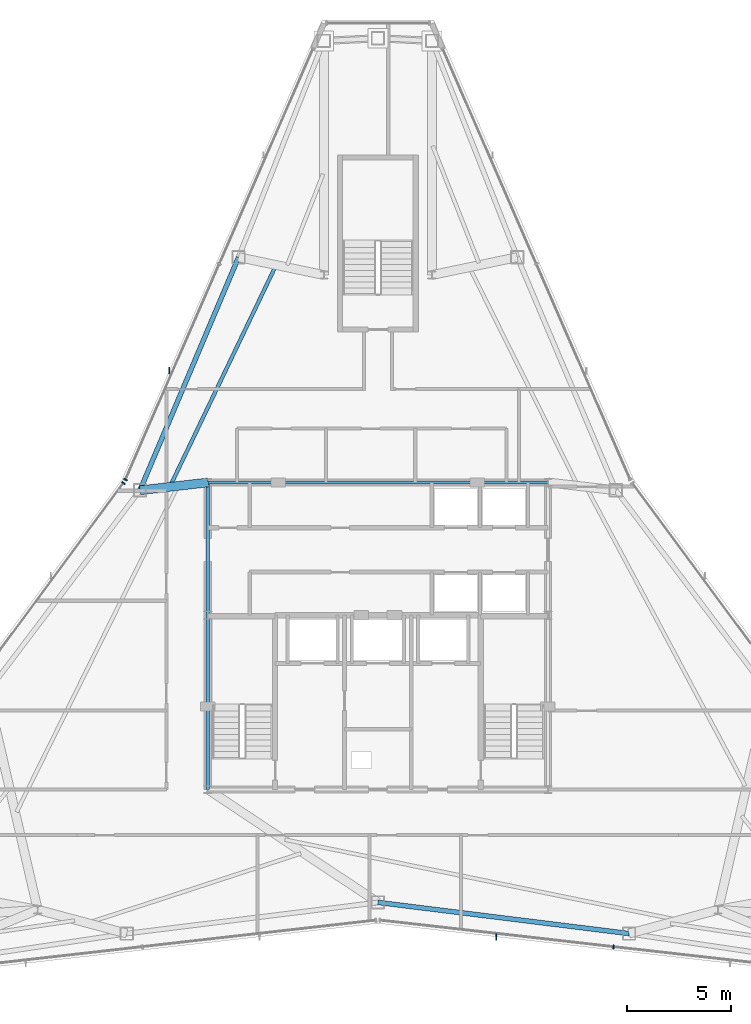
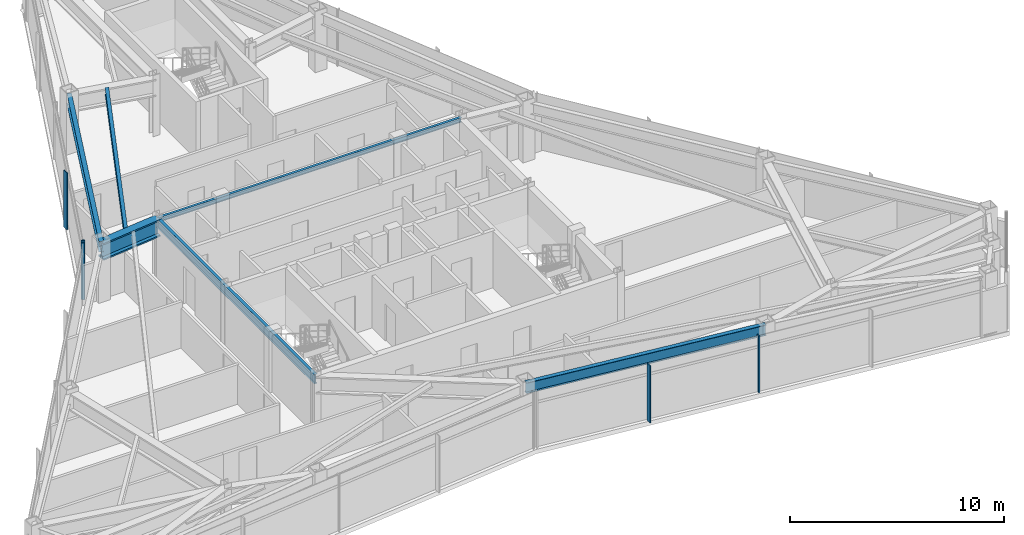
# One storey, part 5 of 12: 6 beams, 5 members, 3 elements without a shape of their own.
"""IFC4 building model written with IfcOpenShell, lengths in metres."""

import ifcopenshell
import ifcopenshell.guid

model = None  # the IFC model being written
_history = None  # IfcOwnerHistory: only IFC2X3 demands one
_inside = {}  # id of a spatial element -> (the spatial element, [elements in it])
_under = {}  # id of a project, library or spatial element -> (it, [spatial elements below it])
_declared = {}  # id of a project -> (the project, [libraries it declares])
_typed = {}  # id of a type object -> (the type object, [elements of that type])
_made_of = {}  # id of a material, layer set ... -> (it, [elements and type objects made of it])


def new_model(schema):
    """Start an empty IFC model of exactly this schema.

    Asked for "IFC4X3", IfcOpenShell would pick the latest addendum, in which some entities
    have other attributes; the version numbers below select the first issue.
    IFC2X3 requires an IfcOwnerHistory on every rooted entity: one is made here for all.
    """
    global model, _history
    if schema == "IFC4X3":
        model = ifcopenshell.file(schema_version=(4, 3, 0, 0))
    else:
        model = ifcopenshell.file(schema=schema)
    _inside.clear()
    _under.clear()
    _declared.clear()
    _typed.clear()
    _made_of.clear()
    _history = None
    if model.schema == "IFC2X3":
        org = make("IfcOrganization", Name="unknown")
        user = make(
            "IfcPersonAndOrganization",
            ThePerson=make("IfcPerson", FamilyName="unknown"),
            TheOrganization=org,
        )
        app = make(
            "IfcApplication",
            ApplicationDeveloper=org,
            Version="unknown",
            ApplicationFullName="unknown",
            ApplicationIdentifier="unknown",
        )
        _history = make(
            "IfcOwnerHistory",
            OwningUser=user,
            OwningApplication=app,
            ChangeAction="ADDED",
            CreationDate=0,
        )
    return model


def make(cls, **values):
    """One entity of the class cls with the attributes given. An attribute that is None is left unset."""
    return model.create_entity(
        cls, **{name: value for name, value in values.items() if value is not None}
    )


def rooted(cls, **values):
    """An entity with a GlobalId (a new one), such as an element, a storey or a relation."""
    return make(cls, GlobalId=ifcopenshell.guid.new(), OwnerHistory=_history, **values)


def si_unit(unit_type, name, prefix=None):
    """IfcSIUnit, for example si_unit("LENGTHUNIT", "METRE", prefix="MILLI")."""
    return make("IfcSIUnit", UnitType=unit_type, Prefix=prefix, Name=name)


def assignment(units):
    """IfcUnitAssignment: the units of a project."""
    return None if units is None else make("IfcUnitAssignment", Units=units)


def point(xyz):
    """IfcCartesianPoint."""
    return None if xyz is None else make("IfcCartesianPoint", Coordinates=xyz)


def direction(xyz):
    """IfcDirection."""
    return None if xyz is None else make("IfcDirection", DirectionRatios=xyz)


def frame(location, z_axis=None, x_axis=None):
    """IfcAxis2Placement3D, a coordinate frame: its origin and axes. An axis left out is left unset."""
    return make(
        "IfcAxis2Placement3D",
        Location=point(location),
        Axis=direction(z_axis),
        RefDirection=direction(x_axis),
    )


def frame_2d(location, x_axis=None):
    """IfcAxis2Placement2D, a coordinate frame in the plane: its origin and x axis."""
    return make(
        "IfcAxis2Placement2D", Location=point(location), RefDirection=direction(x_axis)
    )


def origin():
    """The frame at (0, 0, 0) with its axes left unset."""
    return frame((0.0, 0.0, 0.0))


def origin_2d():
    """The frame at (0, 0) in the plane with its x axis left unset."""
    return frame_2d((0.0, 0.0))


def place(relative_to, where):
    """IfcLocalPlacement: puts the frame where relative to a parent placement (None: the world)."""
    return make(
        "IfcLocalPlacement", PlacementRelTo=relative_to, RelativePlacement=where
    )


def context(
    kind, dimensions, precision=None, world=None, true_north=None, identifier=None
):
    """IfcGeometricRepresentationContext, for example the 3D "Model" context."""
    return make(
        "IfcGeometricRepresentationContext",
        ContextIdentifier=identifier,
        ContextType=kind,
        CoordinateSpaceDimension=dimensions,
        Precision=precision,
        WorldCoordinateSystem=world,
        TrueNorth=true_north,
    )


def subcontext(parent, identifier, kind, view, scale=None):
    """IfcGeometricRepresentationSubContext, for example "Body" below "Model"."""
    return make(
        "IfcGeometricRepresentationSubContext",
        ContextIdentifier=identifier,
        ContextType=kind,
        ParentContext=parent,
        TargetScale=scale,
        TargetView=view,
    )


def project(units=None, contexts=None):
    """IfcProject with its units and contexts."""
    return rooted(
        "IfcProject",
        Name="project",
        RepresentationContexts=contexts,
        UnitsInContext=assignment(units),
    )


def spatial(cls, under=None, at=None, **own):
    """A site, building, storey or space (cls), placed at a placement, below another one or the project."""
    s = rooted(cls, ObjectPlacement=at, **own)
    if under is not None:
        _under.setdefault(under.id(), (under, []))[1].append(s)
    return s


def profile(cls, at=None, kind="AREA", **sizes):
    """A parametric profile (cls). Its sizes go by their IFC names, for example OverallWidth=200.0."""
    return make(cls, ProfileType=kind, Position=at, **sizes)


def rectangle(**sizes):
    """IfcRectangleProfileDef."""
    return profile("IfcRectangleProfileDef", **sizes)


def i_section(**sizes):
    """IfcIShapeProfileDef."""
    return profile("IfcIShapeProfileDef", **sizes)


def extrude(swept, where, along, depth):
    """IfcExtrudedAreaSolid: the profile swept, set in the frame where, extruded along a direction by depth."""
    return make(
        "IfcExtrudedAreaSolid",
        SweptArea=swept,
        Position=where,
        ExtrudedDirection=direction(along),
        Depth=depth,
    )


def shape(context_of_items, identifier, shape_type, items):
    """IfcShapeRepresentation: the items that make up one representation, for example the "Body"."""
    return make(
        "IfcShapeRepresentation",
        ContextOfItems=context_of_items,
        RepresentationIdentifier=identifier,
        RepresentationType=shape_type,
        Items=items,
    )


def source(mapping_origin, context_of_items, identifier, shape_type, items):
    """IfcRepresentationMap: a shape defined once, which mapped items show again and again."""
    return make(
        "IfcRepresentationMap",
        MappingOrigin=mapping_origin,
        MappedRepresentation=shape(context_of_items, identifier, shape_type, items),
    )


def transform(
    local_origin,
    x_axis=None,
    y_axis=None,
    z_axis=None,
    scale=None,
    scale2=None,
    scale3=None,
    uniform=True,
):
    """IfcCartesianTransformationOperator3D, or its non-uniform kind. x_axis, y_axis, z_axis: its Axis1, 2, 3."""
    if uniform:
        return make(
            "IfcCartesianTransformationOperator3D",
            Axis1=direction(x_axis),
            Axis2=direction(y_axis),
            LocalOrigin=point(local_origin),
            Scale=scale,
            Axis3=direction(z_axis),
        )
    return make(
        "IfcCartesianTransformationOperator3DnonUniform",
        Axis1=direction(x_axis),
        Axis2=direction(y_axis),
        LocalOrigin=point(local_origin),
        Scale=scale,
        Axis3=direction(z_axis),
        Scale2=scale2,
        Scale3=scale3,
    )


def mapped(mapping_source, mapping_target):
    """IfcMappedItem: shows the shape of a source again, moved by a transform."""
    return make(
        "IfcMappedItem", MappingSource=mapping_source, MappingTarget=mapping_target
    )


def material(Name=None, Category=None):
    """IfcMaterial."""
    return make("IfcMaterial", Name=Name, Category=Category)


def layer(
    of_material, thickness, ventilated=None, Name=None, Category=None, Priority=None
):
    """IfcMaterialLayer: one layer of a wall or slab, of a material (None: an air gap)."""
    return make(
        "IfcMaterialLayer",
        Material=of_material,
        LayerThickness=thickness,
        IsVentilated=ventilated,
        Name=Name,
        Category=Category,
        Priority=Priority,
    )


def layer_set(layers, Name=None):
    """IfcMaterialLayerSet."""
    return make("IfcMaterialLayerSet", MaterialLayers=layers, LayerSetName=Name)


def material_profile(
    of_material, cross_section, Name=None, Category=None, Priority=None
):
    """IfcMaterialProfile: a cross section and its material."""
    return make(
        "IfcMaterialProfile",
        Name=Name,
        Material=of_material,
        Profile=cross_section,
        Priority=Priority,
        Category=Category,
    )


def profile_set(profiles, Name=None, composite=None):
    """IfcMaterialProfileSet."""
    return make(
        "IfcMaterialProfileSet",
        Name=Name,
        MaterialProfiles=profiles,
        CompositeProfile=composite,
    )


def made_of(thing, what):
    """Note that an element or type object is made of a material, layer set ...; save() writes the relation."""
    if what is not None:
        _made_of.setdefault(what.id(), (what, []))[1].append(thing)
    return thing


def type_object(cls, material=None, **own):
    """A type object (cls), such as IfcWallType, which elements share."""
    return made_of(rooted(cls, **own), material)


def type_shapes(of_type, sources):
    """Give a type object the sources (RepresentationMaps) that its elements show as mapped items."""
    of_type.RepresentationMaps = sources


def element(
    cls,
    number,
    at=None,
    inside=None,
    cuts=None,
    type_object=None,
    material=None,
    context=None,
    identifier="Body",
    shape_type=None,
    held_by="IfcProductDefinitionShape",
    body=None,
    shapes=None,
    **own,
):
    """One element of the class cls, such as IfcWall. Its Tag is "e" and its number.

    at: its placement. inside: the storey or other place that contains it. cuts: it is an
    opening in that element (IfcRelVoidsElement). A single representation is given by context,
    identifier, shape_type and body (its items); several are given by shapes. held_by: the class
    of the entity that holds the representations. save() writes the other relations.
    """
    e = rooted(cls, Tag="e%d" % number, ObjectPlacement=at, **own)
    if body is not None:
        shapes = [shape(context, identifier, shape_type, body)]
    if shapes is not None:
        e.Representation = make(held_by, Representations=shapes)
    if inside is not None:
        _inside.setdefault(inside.id(), (inside, []))[1].append(e)
    if cuts is not None:
        rooted(
            "IfcRelVoidsElement", RelatingBuildingElement=cuts, RelatedOpeningElement=e
        )
    if type_object is not None:
        _typed.setdefault(type_object.id(), (type_object, []))[1].append(e)
    return made_of(e, material)


def aggregate(whole, parts):
    """IfcRelAggregates: a whole, such as a stair, and the parts it consists of."""
    return rooted("IfcRelAggregates", RelatingObject=whole, RelatedObjects=parts)


def save(model, path):
    """Write the relations noted so far, then the file.

    IfcRelAggregates (storeys below a building ...), IfcRelContainedInSpatialStructure (elements
    in a storey), IfcRelDefinesByType, IfcRelAssociatesMaterial and IfcRelDeclares: one each for
    every whole, place, type object, material and project.
    """
    for whole, parts in _under.values():
        aggregate(whole, parts)
    for where, things in _inside.values():
        rooted(
            "IfcRelContainedInSpatialStructure",
            RelatedElements=things,
            RelatingStructure=where,
        )
    for kind, things in _typed.values():
        rooted("IfcRelDefinesByType", RelatedObjects=things, RelatingType=kind)
    for what, things in _made_of.values():
        rooted("IfcRelAssociatesMaterial", RelatedObjects=things, RelatingMaterial=what)
    for by, libraries in _declared.values():
        rooted("IfcRelDeclares", RelatingContext=by, RelatedDefinitions=libraries)
    model.write(path)


model = new_model("IFC4")

# Units and contexts
model_context = context("Model", 3, precision=1e-05, world=origin(), true_north=direction((0.0, 1.0)))
body_context = subcontext(model_context, "Body", "Model", "MODEL_VIEW")
ifc_project = project(units=[si_unit("LENGTHUNIT", "METRE"), si_unit("AREAUNIT", "SQUARE_METRE"), si_unit("VOLUMEUNIT", "CUBIC_METRE"), si_unit("PLANEANGLEUNIT", "RADIAN"), si_unit("MASSUNIT", "GRAM", prefix="KILO")], contexts=[model_context])

# Site, building, storey
site_placement = place(None, origin())
site = spatial("IfcSite", under=ifc_project, at=site_placement, CompositionType="ELEMENT")
building_placement = place(site_placement, origin())
building = spatial("IfcBuilding", under=site, at=building_placement, Name="Varakhsha Concourse Tower", CompositionType="ELEMENT")
storey_placement = place(building_placement, frame((0.0, 0.0, 283.0)))
storey = spatial("IfcBuildingStorey", under=building, at=storey_placement, Name="L80", CompositionType="ELEMENT", Elevation=283.0)

# Beams
ifc_material_1 = material(Name="Structural Steel ASTM A992 Grade 50", Category="steel")
ifc_material_profile_1 = material_profile(ifc_material_1, i_section(OverallWidth=0.177978515625, OverallDepth=0.406982421875, WebThickness=0.008056640625, FlangeThickness=0.012939453125, at=origin_2d()), Name="W16X40")
ifc_profile_set_1 = profile_set([ifc_material_profile_1], Name="Structural Steel ASTM A992 Grade 50")
beam_type_1 = type_object("IfcBeamType", Name="BM-JST-W16X40", PredefinedType="JOIST", material=ifc_profile_set_1)
beam_1_placement = place(storey_placement, frame((35.046875, 41.58349609375, 3.04638671875), z_axis=(-0.432292540768, -0.901733419141, 0.0), x_axis=(0.901733419141, -0.432292540768, 0.0)))
element("IfcBeam", 1, at=beam_1_placement, inside=storey, type_object=beam_type_1, Name="BM-TJST-L80-04", PredefinedType="JOIST", context=body_context, shape_type="SweptSolid", body=[
    extrude(i_section(OverallWidth=0.177978515625, OverallDepth=0.406982421875, WebThickness=0.008056640625, FlangeThickness=0.012939453125, at=origin_2d()), origin(), (0.0, 0.0, 1.0), 11.63916015625),
])
ifc_material_profile_2 = material_profile(ifc_material_1, i_section(OverallWidth=0.14697265625, OverallDepth=0.261962890625, WebThickness=0.007080078125, FlangeThickness=0.010986328125, at=origin_2d()), Name="W10X26")
ifc_profile_set_2 = profile_set([ifc_material_profile_2], Name="Structural Steel ASTM A992 Grade 50")
beam_type_2 = type_object("IfcBeamType", Name="BM-LNTL-W10X26", PredefinedType="LINTEL", material=ifc_profile_set_2)
beam_2_placement = place(storey_placement, frame((31.800048828125, 31.199951171875, 3.118896484375), z_axis=(1.0, 0.0, 0.0), x_axis=(0.0, 1.0, 0.0)))
element("IfcBeam", 2, at=beam_2_placement, inside=storey, type_object=beam_type_2, Name="BM-TCORE-L80-CN", PredefinedType="LINTEL", context=body_context, shape_type="SweptSolid", body=[
    extrude(i_section(OverallWidth=0.14697265625, OverallDepth=0.261962890625, WebThickness=0.007080078125, FlangeThickness=0.010986328125, at=origin_2d()), origin(), (0.0, 0.0, 1.0), 16.39990234375),
])
ifc_material_profile_3 = material_profile(ifc_material_1, i_section(OverallWidth=0.1669921875, OverallDepth=0.534912109375, WebThickness=0.010009765625, FlangeThickness=0.01708984375, at=origin_2d()), Name="W21X57")
ifc_profile_set_3 = profile_set([ifc_material_profile_3], Name="Structural Steel ASTM A992 Grade 50")
beam_type_3 = type_object("IfcBeamType", Name="BM-RAD-W21X57", PredefinedType="BEAM", material=ifc_profile_set_3)
beam_3_placement = place(storey_placement, frame((31.800048828125, 16.39990234375, 2.982421875), z_axis=(0.0, 1.0, 0.0), x_axis=(-1.0, 0.0, 0.0)))
element("IfcBeam", 3, at=beam_3_placement, inside=storey, type_object=beam_type_3, Name="BM-TCORE-L80-CW", PredefinedType="BEAM", context=body_context, shape_type="SweptSolid", body=[
    extrude(i_section(OverallWidth=0.1669921875, OverallDepth=0.534912109375, WebThickness=0.010009765625, FlangeThickness=0.01708984375, at=origin_2d()), origin(), (0.0, 0.0, 1.0), 14.800048828125),
])
ifc_material_profile_4 = material_profile(ifc_material_1, i_section(OverallWidth=0.22900390625, OverallDepth=0.612060546875, WebThickness=0.011962890625, FlangeThickness=0.02001953125, at=origin_2d()), Name="W24X84")
ifc_profile_set_4 = profile_set([ifc_material_profile_4], Name="Structural Steel ASTM A992 Grade 50")
beam_type_4 = type_object("IfcBeamType", Name="BM-SPAN-W24X84", PredefinedType="SPANDREL", material=ifc_profile_set_4)
beam_4_placement = place(storey_placement, frame((33.28271484375, 42.06201171875, 2.944091796875), z_axis=(-0.389624327062, -0.920973877893, 0.0), x_axis=(0.920973877893, -0.389624327062, 0.0)))
element("IfcBeam", 4, at=beam_4_placement, inside=storey, type_object=beam_type_4, Name="BM-SPAN-L80-04", PredefinedType="SPANDREL", context=body_context, shape_type="SweptSolid", body=[
    extrude(i_section(OverallWidth=0.22900390625, OverallDepth=0.612060546875, WebThickness=0.011962890625, FlangeThickness=0.02001953125, at=origin_2d()), origin(), (0.0, 0.0, 1.0), 12.203125),
])
beam_5_placement = place(storey_placement, frame((40.0, 10.953369140625, 2.944091796875), z_axis=(0.992398980009, -0.123062035079, 0.0), x_axis=(0.123062035079, 0.992398980009, 0.0)))
element("IfcBeam", 5, at=beam_5_placement, inside=storey, type_object=beam_type_4, Name="BM-SPAN-L80-11", PredefinedType="SPANDREL", context=body_context, shape_type="SweptSolid", body=[
    extrude(i_section(OverallWidth=0.22900390625, OverallDepth=0.612060546875, WebThickness=0.011962890625, FlangeThickness=0.02001953125, at=origin_2d()), origin(), (0.0, 0.0, 1.0), 12.202880859375),
])
ifc_material_profile_5 = material_profile(ifc_material_1, i_section(OverallWidth=0.427978515625, OverallDepth=0.97509765625, WebThickness=0.050048828125, FlangeThickness=0.0810546875, at=origin_2d()), Name="W36X395")
ifc_profile_set_5 = profile_set([ifc_material_profile_5], Name="Structural Steel ASTM A992 Grade 50")
beam_type_5 = type_object("IfcBeamType", Name="BM-XFER-W36X395", PredefinedType="USERDEFINED", material=ifc_profile_set_5)
beam_6_placement = place(storey_placement, frame((31.800048828125, 31.199951171875, 2.762451171875), z_axis=(-0.993437473309, -0.114376512559, 0.0), x_axis=(0.114376512559, -0.993437473309, 0.0)))
element("IfcBeam", 6, at=beam_6_placement, inside=storey, type_object=beam_type_5, Name="L80 Radial Floor Girder 05", ObjectType="GIRDER", PredefinedType="USERDEFINED", context=body_context, shape_type="SweptSolid", body=[
    extrude(i_section(OverallWidth=0.427978515625, OverallDepth=0.97509765625, WebThickness=0.050048828125, FlangeThickness=0.0810546875, at=origin_2d()), origin(), (0.0, 0.0, 1.0), 3.293701171875),
])

# Curtain wall, member
ifc_material_2 = material(Name="Anodised Bronze Architectural Aluminium AA 6063-T6", Category="aluminium")
ifc_layer = layer(ifc_material_2, 0.199951171875, Name="CW-SYS-05")
ifc_layer_set = layer_set([ifc_layer], Name="Anodised Bronze Architectural Aluminium AA 6063-T6")
curtain_wall_type = type_object("IfcCurtainWallType", Name="CW-SYS-05", PredefinedType="NOTDEFINED", material=ifc_layer_set)
curtain_wall_1_placement = place(storey_placement, origin())
curtain_wall_1 = element("IfcCurtainWall", 7, at=curtain_wall_1_placement, inside=storey, type_object=curtain_wall_type, Name="L80 Crystal Curtain Wall F2", PredefinedType="NOTDEFINED")
ifc_material_profile_6 = material_profile(ifc_material_2, rectangle(XDim=0.06494140625, YDim=0.179931640625, at=origin_2d()), Name="CWM-180X65")
ifc_profile_set_6 = profile_set([ifc_material_profile_6], Name="Anodised Bronze Architectural Aluminium AA 6063-T6")
member_type_1 = type_object("IfcMemberType", Name="CWM-180X65", PredefinedType="MULLION", material=ifc_profile_set_6)
shared_shape_1 = source(origin(), body_context, "Body", "SweptSolid", [
    extrude(rectangle(XDim=0.06494140625, YDim=0.179931640625, at=origin_2d()), origin(), (0.0, 0.0, 1.0), 3.25),
])
type_shapes(member_type_1, [shared_shape_1])
member_1_placement = place(storey_placement, frame((27.830322265625, 31.3388671875, 0.0), z_axis=(0.0, 0.0, 1.0), x_axis=(0.39908356189, 0.916914560158, 0.0)))
member_1 = element("IfcMember", 8, at=member_1_placement, type_object=member_type_1, Name="CW-L80-F2 Mullion 00", PredefinedType="MULLION", context=body_context, shape_type="MappedRepresentation", body=[
    mapped(shared_shape_1, transform((0.0, 0.0, 0.0), scale=1.0)),
])

curtain_wall_2_placement = place(storey_placement, origin())
curtain_wall_2 = element("IfcCurtainWall", 9, at=curtain_wall_2_placement, inside=storey, type_object=curtain_wall_type, Name="L80 Crystal Curtain Wall F3", PredefinedType="NOTDEFINED")
member_2_placement = place(storey_placement, frame((27.73291015625, 31.169921875, 0.0), z_axis=(0.0, 0.0, 1.0), x_axis=(0.594533731364, 0.804070669948, 0.0)))
member_2 = element("IfcMember", 10, at=member_2_placement, type_object=member_type_1, Name="CW-L80-F3 Mullion 02", PredefinedType="MULLION", context=body_context, shape_type="MappedRepresentation", body=[
    mapped(shared_shape_1, transform((0.0, 0.0, 0.0), scale=1.0)),
])
aggregate(curtain_wall_2, [member_2])

curtain_wall_3_placement = place(storey_placement, origin())
curtain_wall_3 = element("IfcCurtainWall", 11, at=curtain_wall_3_placement, inside=storey, type_object=curtain_wall_type, Name="L80 Crystal Curtain Wall F6", PredefinedType="NOTDEFINED")
member_3_placement = place(storey_placement, frame((51.36328125, 8.81201171875, 0.0), z_axis=(0.0, 0.0, 1.0), x_axis=(-0.993612689247, 0.112844245613, 0.0)))
member_3 = element("IfcMember", 12, at=member_3_placement, type_object=member_type_1, Name="CW-L80-F6 Mullion 01", PredefinedType="MULLION", context=body_context, shape_type="MappedRepresentation", body=[
    mapped(shared_shape_1, transform((0.0, 0.0, 0.0), scale=1.0)),
])

# Member
ifc_material_profile_7 = material_profile(ifc_material_2, rectangle(XDim=0.054931640625, YDim=0.300048828125, at=origin_2d()), Name="FIN-BRZ-300")
ifc_profile_set_7 = profile_set([ifc_material_profile_7], Name="Anodised Bronze Architectural Aluminium AA 6063-T6")
member_type_2 = type_object("IfcMemberType", Name="FIN-BRZ-300", PredefinedType="USERDEFINED", material=ifc_profile_set_7)
shared_shape_2 = source(origin(), body_context, "Body", "SweptSolid", [
    extrude(rectangle(XDim=0.054931640625, YDim=0.300048828125, at=origin_2d()), origin(), (0.0, 0.0, 1.0), 3.25),
])
type_shapes(member_type_2, [shared_shape_2])
member_4_placement = place(storey_placement, frame((29.94140625, 36.602783203125, 0.0), z_axis=(0.0, 0.0, 1.0), x_axis=(1.0, 0.0, 0.0)))
member_4 = element("IfcMember", 13, at=member_4_placement, type_object=member_type_2, Name="L80 Anodised Bronze Solar Fin F2-1", ObjectType="SOLAR FIN", PredefinedType="USERDEFINED", context=body_context, shape_type="MappedRepresentation", body=[
    mapped(shared_shape_2, transform((0.0, 0.0, 0.0), scale=1.0)),
])

aggregate(curtain_wall_1, [member_1, member_4])

member_5_placement = place(storey_placement, frame((45.711669921875, 9.28759765625, 0.0), z_axis=(0.0, 0.0, 1.0), x_axis=(1.0, 0.0, 0.0)))
member_5 = element("IfcMember", 14, at=member_5_placement, type_object=member_type_2, Name="L80 Anodised Bronze Solar Fin F6-2", ObjectType="SOLAR FIN", PredefinedType="USERDEFINED", context=body_context, shape_type="MappedRepresentation", body=[
    mapped(shared_shape_2, transform((0.0, 0.0, 0.0), scale=1.0)),
])

aggregate(curtain_wall_3, [member_3, member_5])

save(model, "model.ifc")
